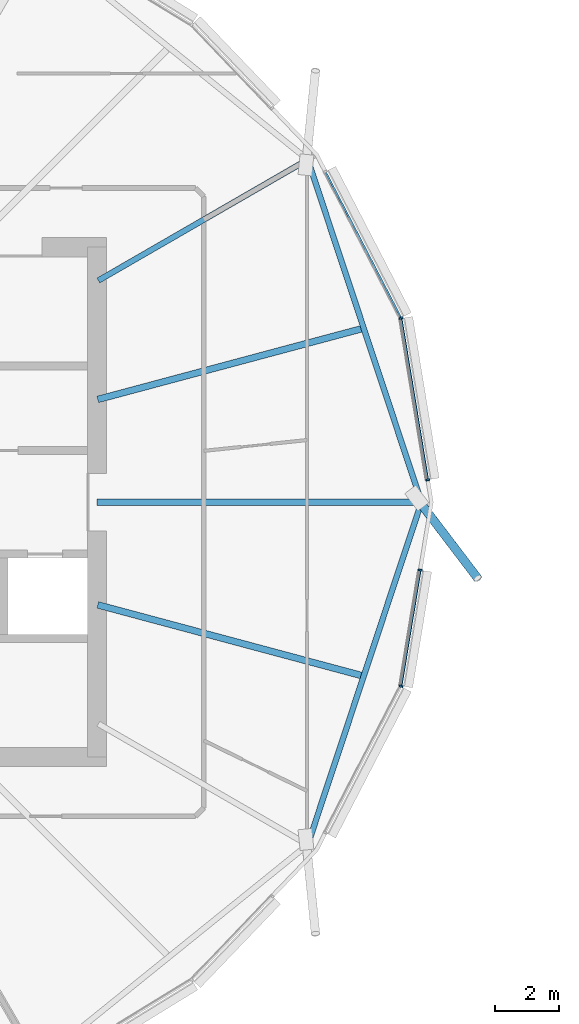
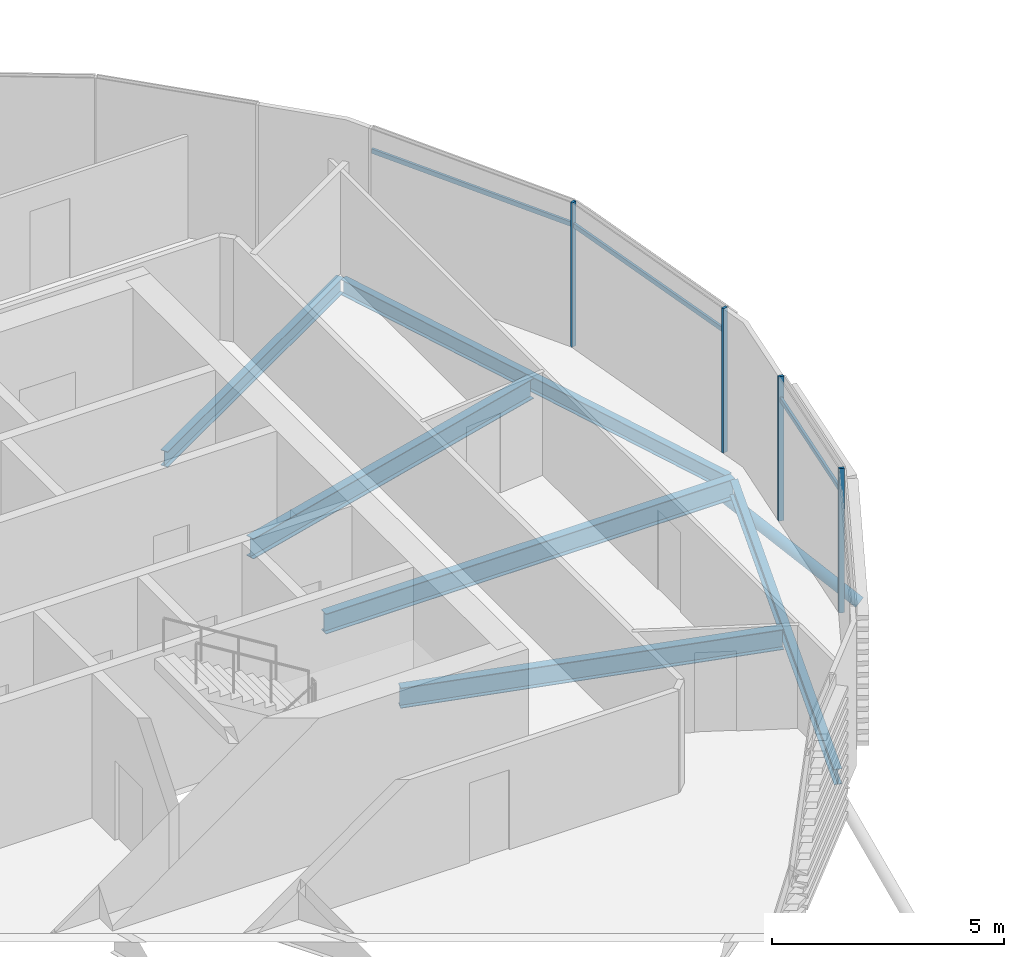
# One storey, part 8 of 37: 8 members, 6 beams, 1 element without a shape of its own.
"""IFC4 building model written with IfcOpenShell, lengths in metres."""

from ifc_helpers import new_model, si_unit, direction, frame, origin, origin_2d, place, context, subcontext, project, spatial, rectangle, hollow_circle, i_section, extrude, clip, halfspace, material, material_profile, profile_set, type_object, element, aggregate, save


model = new_model("IFC4")

# Units and contexts
model_context = context("Model", 3, precision=1e-05, world=origin(), true_north=direction((0.0, 1.0)))
body_context = subcontext(model_context, "Body", "Model", "MODEL_VIEW")
ifc_project = project(units=[si_unit("LENGTHUNIT", "METRE"), si_unit("AREAUNIT", "SQUARE_METRE"), si_unit("VOLUMEUNIT", "CUBIC_METRE"), si_unit("PLANEANGLEUNIT", "RADIAN"), si_unit("MASSUNIT", "GRAM", prefix="KILO")], contexts=[model_context])

# Site, building, storey
site_placement = place(None, origin())
site = spatial("IfcSite", under=ifc_project, at=site_placement, CompositionType="ELEMENT")
building_placement = place(site_placement, origin())
building = spatial("IfcBuilding", under=site, at=building_placement, Name="Rimbun Link Towers", CompositionType="ELEMENT")
storey_placement = place(building_placement, frame((0.0, 0.0, 166.5)))
storey = spatial("IfcBuildingStorey", under=building, at=storey_placement, Name="L40", CompositionType="ELEMENT", Elevation=166.5)

# Curtain wall, members
ifc_material_1 = material(Name="Aluminium 6063-T6 and low-iron glass", Category="aluminium")
curtain_wall_type = type_object("IfcCurtainWallType", Name="CW1-Z3 unitised vision wall (zone 3)", PredefinedType="NOTDEFINED", material=ifc_material_1)
curtain_wall_placement = place(storey_placement, origin())
curtain_wall = element("IfcCurtainWall", 1, at=curtain_wall_placement, inside=storey, type_object=curtain_wall_type, Name="CW1 L40 T1", PredefinedType="NOTDEFINED")
ifc_material_2 = material(Name="Aluminium 6063-T6", Category="aluminium")
ifc_material_profile_1 = material_profile(ifc_material_2, rectangle(XDim=0.1201171875, YDim=0.06005859375, at=origin_2d()), Name="MULLION 60X120")
ifc_profile_set_1 = profile_set([ifc_material_profile_1], Name="Aluminium 6063-T6")
member_type_1 = type_object("IfcMemberType", Name="CW1 mullion 60X120", PredefinedType="MULLION", material=ifc_profile_set_1)
member_1_placement = place(storey_placement, frame((-10.203857421875, 5.77685546875, 0.0), z_axis=(0.0, 0.0, 1.0), x_axis=(0.949160130292, 0.314793657917, 0.0)))
member_1 = element("IfcMember", 2, at=member_1_placement, type_object=member_type_1, Name="CW1 mullion", PredefinedType="MULLION", context=body_context, shape_type="SweptSolid", body=[
    extrude(rectangle(XDim=0.1201171875, YDim=0.06005859375, at=origin_2d()), origin(), (0.0, 0.0, 1.0), 3.800048828125),
])
member_2_placement = place(storey_placement, frame((-9.368408203125, 0.700439453125, 0.0), z_axis=(0.0, 0.0, 1.0), x_axis=(0.986749152222, 0.162253229824, 0.0)))
member_2 = element("IfcMember", 3, at=member_2_placement, type_object=member_type_1, Name="CW1 mullion", PredefinedType="MULLION", context=body_context, shape_type="SweptSolid", body=[
    extrude(rectangle(XDim=0.1201171875, YDim=0.06005859375, at=origin_2d()), origin(), (0.0, 0.0, 1.0), 3.800048828125),
])
member_3_placement = place(storey_placement, frame((-10.203857421875, -5.77685546875, 0.0), z_axis=(0.0, 0.0, 1.0), x_axis=(0.949160130292, -0.314793657917, 0.0)))
member_3 = element("IfcMember", 4, at=member_3_placement, type_object=member_type_1, Name="CW1 mullion", PredefinedType="MULLION", context=body_context, shape_type="SweptSolid", body=[
    extrude(rectangle(XDim=0.1201171875, YDim=0.06005859375, at=origin_2d()), origin(), (0.0, 0.0, 1.0), 3.800048828125),
])
member_4_placement = place(storey_placement, frame((-9.603759765625, -2.13134765625, 0.0), z_axis=(0.0, 0.0, 1.0), x_axis=(0.986749152222, -0.162253229824, 0.0)))
member_4 = element("IfcMember", 5, at=member_4_placement, type_object=member_type_1, Name="CW1 mullion", PredefinedType="MULLION", context=body_context, shape_type="SweptSolid", body=[
    extrude(rectangle(XDim=0.1201171875, YDim=0.06005859375, at=origin_2d()), origin(), (0.0, 0.0, 1.0), 3.800048828125),
])
ifc_material_3 = material(Name="Aluminium 6063-T6", Category="aluminium")
ifc_material_profile_2 = material_profile(ifc_material_3, rectangle(XDim=0.06005859375, YDim=0.1201171875, at=origin_2d()), Name="TRANSOM 60X120")
ifc_profile_set_2 = profile_set([ifc_material_profile_2], Name="Aluminium 6063-T6")
member_type_2 = type_object("IfcMemberType", Name="CW1 transom 60X120", PredefinedType="USERDEFINED", material=ifc_profile_set_2)
member_5_placement = place(storey_placement, frame((-10.19873046875, 5.73779296875, 3.199951171875), z_axis=(0.162253438061, -0.986749117982, 0.0), x_axis=(0.986749117982, 0.162253438061, 0.0)))
member_5 = element("IfcMember", 6, at=member_5_placement, type_object=member_type_2, Name="CW1 transom", ObjectType="TRANSOM", PredefinedType="USERDEFINED", context=body_context, shape_type="SweptSolid", body=[
    extrude(rectangle(XDim=0.06005859375, YDim=0.1201171875, at=origin_2d()), origin(), (0.0, 0.0, 1.0), 5.0751953125),
])
member_6_placement = place(storey_placement, frame((-12.56884765625, 10.344482421875, 3.199951171875), z_axis=(0.459568651835, -0.888142248883, 0.0), x_axis=(0.888142248883, 0.459568651835, 0.0)))
member_6 = element("IfcMember", 7, at=member_6_placement, type_object=member_type_2, Name="CW1 transom", ObjectType="TRANSOM", PredefinedType="USERDEFINED", context=body_context, shape_type="SweptSolid", body=[
    extrude(rectangle(XDim=0.06005859375, YDim=0.1201171875, at=origin_2d()), origin(), (0.0, 0.0, 1.0), 5.104248046875),
])
member_7_placement = place(storey_placement, frame((-9.610595703125, -2.16064453125, 3.199951171875), z_axis=(-0.162236243244, -0.986751945211, 0.0), x_axis=(0.986751945211, -0.162236243244, 0.0)))
member_7 = element("IfcMember", 8, at=member_7_placement, type_object=member_type_2, Name="CW1 transom", ObjectType="TRANSOM", PredefinedType="USERDEFINED", context=body_context, shape_type="SweptSolid", body=[
    extrude(rectangle(XDim=0.06005859375, YDim=0.1201171875, at=origin_2d()), origin(), (0.0, 0.0, 1.0), 3.625244140625),
])
aggregate(curtain_wall, [member_1, member_2, member_3, member_4, member_5, member_6, member_7])

# Member
ifc_material_4 = material(Name="Steel S355J2H", Category="steel")
ifc_material_profile_3 = material_profile(ifc_material_4, hollow_circle(Radius=0.136474609375, WallThickness=0.012451171875, at=origin_2d()), Name="CHS 273x12.5")
ifc_profile_set_3 = profile_set([ifc_material_profile_3], Name="Steel S355J2H")
member_type_3 = type_object("IfcMemberType", Name="Floor edge link CHS 273x12.5", PredefinedType="BRACE", material=ifc_profile_set_3)
member_8_placement = place(storey_placement, frame((-9.617431640625, 0.0, -0.7998046875), z_axis=(0.516327202654, -0.679228504322, -0.521588783158), x_axis=(0.796098081416, 0.605167617083, 0.0)))
element("IfcMember", 9, at=member_8_placement, inside=storey, type_object=member_type_3, Name="Floor edge link T1 L40 00", PredefinedType="BRACE", context=body_context, shape_type="Clipping", body=[
    clip(extrude(hollow_circle(Radius=0.136474609375, WallThickness=0.012451171875, at=origin_2d()), frame((0.0, 0.0, -0.4658203125)), (0.0, 0.0, 1.0), 3.9921875), halfspace(frame((0.0, 0.0, -0.219970703125), z_axis=(0.0, 0.853197011999, -0.521588783158)), False)),
])

# Beams
ifc_material_5 = material(Name="Steel S355J2", Category="steel")
ifc_material_profile_4 = material_profile(ifc_material_5, i_section(OverallWidth=0.177978515625, OverallDepth=0.406494140625, WebThickness=0.0078125, FlangeThickness=0.0126953125, at=origin_2d()), Name="UB 406x178x60")
ifc_profile_set_4 = profile_set([ifc_material_profile_4], Name="Steel S355J2")
beam_type_1 = type_object("IfcBeamType", Name="UB 406x178x60", PredefinedType="BEAM", material=ifc_profile_set_4)
beam_1_placement = place(storey_placement, frame((-19.70458984375, 6.954345703125, -0.353271484375), z_axis=(0.866013068262, 0.500021365143, 0.0), x_axis=(-0.500021365143, 0.866013068262, 0.0)))
element("IfcBeam", 10, at=beam_1_placement, inside=storey, type_object=beam_type_1, Name="Radial beam T1 L40 02", PredefinedType="BEAM", context=body_context, shape_type="SweptSolid", body=[
    extrude(i_section(OverallWidth=0.177978515625, OverallDepth=0.406494140625, WebThickness=0.0078125, FlangeThickness=0.0126953125, at=origin_2d()), origin(), (0.0, 0.0, 1.0), 7.588623046875),
])
for number, where, z_axis, x_axis, name in (
    (11, (-9.602294921875, 0.105712890625, -0.353271484375), (-0.314837855166, 0.949145470913, 0.0), (-0.949145470913, -0.314837855166, 0.0), "Edge beam T1 L40 00-02"),
    (12, (-13.103759765625, -10.66162109375, -0.353271484375), (0.314837855166, 0.949145470913, 0.0), (-0.949145470913, 0.314837855166, 0.0), "Edge beam T1 L40 22-00"),
):
    element("IfcBeam", number, at=place(storey_placement, frame(where, z_axis=z_axis, x_axis=x_axis)), inside=storey, type_object=beam_type_1, Name=name, PredefinedType="BEAM", context=body_context, shape_type="SweptSolid", body=[
        extrude(i_section(OverallWidth=0.177978515625, OverallDepth=0.406494140625, WebThickness=0.0078125, FlangeThickness=0.0126953125, at=origin_2d()), origin(), (0.0, 0.0, 1.0), 11.12158203125),
    ])
ifc_material_6 = material(Name="Steel S355J2", Category="steel")
ifc_material_profile_5 = material_profile(ifc_material_6, i_section(OverallWidth=0.209228515625, OverallDepth=0.533203125, WebThickness=0.010009765625, FlangeThickness=0.015625, at=origin_2d()), Name="UB 533x210x92")
ifc_profile_set_5 = profile_set([ifc_material_profile_5], Name="Steel S355J2")
beam_type_2 = type_object("IfcBeamType", Name="UB 533x210x92", PredefinedType="BEAM", material=ifc_profile_set_5)
beam_2_placement = place(storey_placement, frame((-19.7490234375, 0.0, -0.41650390625), z_axis=(1.0, 0.0, 0.0), x_axis=(0.0, 1.0, 0.0)))
element("IfcBeam", 13, at=beam_2_placement, inside=storey, type_object=beam_type_2, Name="Radial beam T1 L40 00", PredefinedType="BEAM", context=body_context, shape_type="SweptSolid", body=[
    extrude(i_section(OverallWidth=0.209228515625, OverallDepth=0.533203125, WebThickness=0.010009765625, FlangeThickness=0.015625, at=origin_2d()), origin(), (0.0, 0.0, 1.0), 10.181640625),
])
for number, where, z_axis, x_axis, name in (
    (14, (-19.721923828125, 3.222900390625, -0.41650390625), (0.965926123949, 0.258817934217, 0.0), (-0.258817934217, 0.965926123949, 0.0), "Radial beam T1 L40 01"),
    (15, (-19.721923828125, -3.222900390625, -0.41650390625), (0.965926123949, -0.258817934217, 0.0), (0.258817934217, 0.965926123949, 0.0), "Radial beam T1 L40 23"),
):
    element("IfcBeam", number, at=place(storey_placement, frame(where, z_axis=z_axis, x_axis=x_axis)), inside=storey, type_object=beam_type_2, Name=name, PredefinedType="BEAM", context=body_context, shape_type="SweptSolid", body=[
        extrude(i_section(OverallWidth=0.209228515625, OverallDepth=0.533203125, WebThickness=0.010009765625, FlangeThickness=0.015625, at=origin_2d()), origin(), (0.0, 0.0, 1.0), 8.548095703125),
    ])

save(model, "model.ifc")
